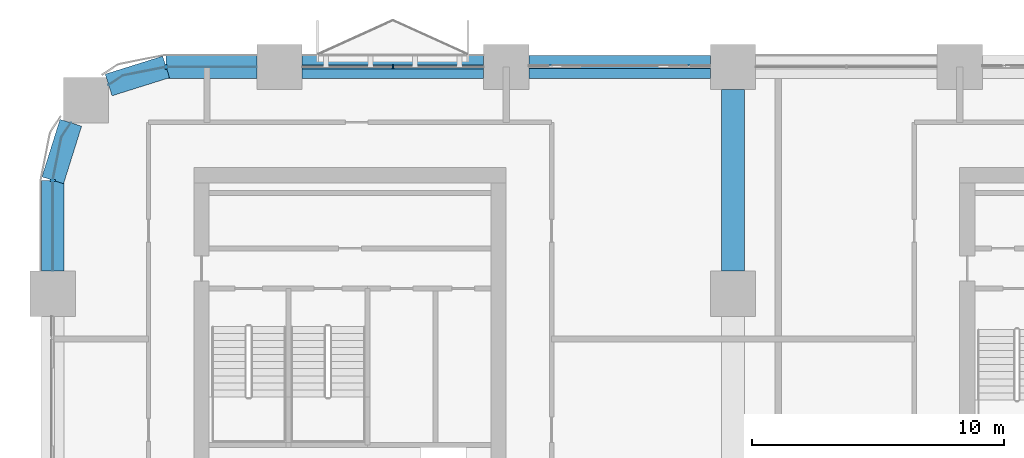
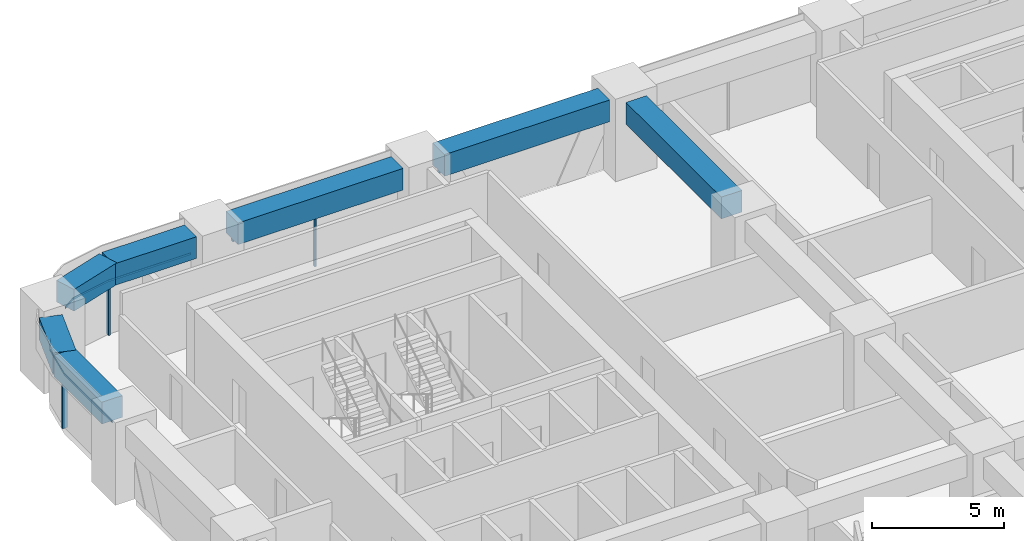
# One storey, part 7 of 23: 7 beams, 7 members, 4 elements without a shape of their own.
"""IFC4 building model written with IfcOpenShell, lengths in metres."""

import ifcopenshell
import ifcopenshell.guid

model = None  # the IFC model being written
_history = None  # IfcOwnerHistory: only IFC2X3 demands one
_inside = {}  # id of a spatial element -> (the spatial element, [elements in it])
_under = {}  # id of a project, library or spatial element -> (it, [spatial elements below it])
_declared = {}  # id of a project -> (the project, [libraries it declares])
_typed = {}  # id of a type object -> (the type object, [elements of that type])
_made_of = {}  # id of a material, layer set ... -> (it, [elements and type objects made of it])


def new_model(schema):
    """Start an empty IFC model of exactly this schema.

    Asked for "IFC4X3", IfcOpenShell would pick the latest addendum, in which some entities
    have other attributes; the version numbers below select the first issue.
    IFC2X3 requires an IfcOwnerHistory on every rooted entity: one is made here for all.
    """
    global model, _history
    if schema == "IFC4X3":
        model = ifcopenshell.file(schema_version=(4, 3, 0, 0))
    else:
        model = ifcopenshell.file(schema=schema)
    _inside.clear()
    _under.clear()
    _declared.clear()
    _typed.clear()
    _made_of.clear()
    _history = None
    if model.schema == "IFC2X3":
        org = make("IfcOrganization", Name="unknown")
        user = make(
            "IfcPersonAndOrganization",
            ThePerson=make("IfcPerson", FamilyName="unknown"),
            TheOrganization=org,
        )
        app = make(
            "IfcApplication",
            ApplicationDeveloper=org,
            Version="unknown",
            ApplicationFullName="unknown",
            ApplicationIdentifier="unknown",
        )
        _history = make(
            "IfcOwnerHistory",
            OwningUser=user,
            OwningApplication=app,
            ChangeAction="ADDED",
            CreationDate=0,
        )
    return model


def make(cls, **values):
    """One entity of the class cls with the attributes given. An attribute that is None is left unset."""
    return model.create_entity(
        cls, **{name: value for name, value in values.items() if value is not None}
    )


def rooted(cls, **values):
    """An entity with a GlobalId (a new one), such as an element, a storey or a relation."""
    return make(cls, GlobalId=ifcopenshell.guid.new(), OwnerHistory=_history, **values)


def si_unit(unit_type, name, prefix=None):
    """IfcSIUnit, for example si_unit("LENGTHUNIT", "METRE", prefix="MILLI")."""
    return make("IfcSIUnit", UnitType=unit_type, Prefix=prefix, Name=name)


def assignment(units):
    """IfcUnitAssignment: the units of a project."""
    return None if units is None else make("IfcUnitAssignment", Units=units)


def point(xyz):
    """IfcCartesianPoint."""
    return None if xyz is None else make("IfcCartesianPoint", Coordinates=xyz)


def direction(xyz):
    """IfcDirection."""
    return None if xyz is None else make("IfcDirection", DirectionRatios=xyz)


def frame(location, z_axis=None, x_axis=None):
    """IfcAxis2Placement3D, a coordinate frame: its origin and axes. An axis left out is left unset."""
    return make(
        "IfcAxis2Placement3D",
        Location=point(location),
        Axis=direction(z_axis),
        RefDirection=direction(x_axis),
    )


def frame_2d(location, x_axis=None):
    """IfcAxis2Placement2D, a coordinate frame in the plane: its origin and x axis."""
    return make(
        "IfcAxis2Placement2D", Location=point(location), RefDirection=direction(x_axis)
    )


def origin():
    """The frame at (0, 0, 0) with its axes left unset."""
    return frame((0.0, 0.0, 0.0))


def origin_2d():
    """The frame at (0, 0) in the plane with its x axis left unset."""
    return frame_2d((0.0, 0.0))


def place(relative_to, where):
    """IfcLocalPlacement: puts the frame where relative to a parent placement (None: the world)."""
    return make(
        "IfcLocalPlacement", PlacementRelTo=relative_to, RelativePlacement=where
    )


def context(
    kind, dimensions, precision=None, world=None, true_north=None, identifier=None
):
    """IfcGeometricRepresentationContext, for example the 3D "Model" context."""
    return make(
        "IfcGeometricRepresentationContext",
        ContextIdentifier=identifier,
        ContextType=kind,
        CoordinateSpaceDimension=dimensions,
        Precision=precision,
        WorldCoordinateSystem=world,
        TrueNorth=true_north,
    )


def subcontext(parent, identifier, kind, view, scale=None):
    """IfcGeometricRepresentationSubContext, for example "Body" below "Model"."""
    return make(
        "IfcGeometricRepresentationSubContext",
        ContextIdentifier=identifier,
        ContextType=kind,
        ParentContext=parent,
        TargetScale=scale,
        TargetView=view,
    )


def project(units=None, contexts=None):
    """IfcProject with its units and contexts."""
    return rooted(
        "IfcProject",
        Name="project",
        RepresentationContexts=contexts,
        UnitsInContext=assignment(units),
    )


def spatial(cls, under=None, at=None, **own):
    """A site, building, storey or space (cls), placed at a placement, below another one or the project."""
    s = rooted(cls, ObjectPlacement=at, **own)
    if under is not None:
        _under.setdefault(under.id(), (under, []))[1].append(s)
    return s


def polyline(points):
    """IfcPolyline through the points."""
    return make("IfcPolyline", Points=[point(p) for p in points])


def profile(cls, at=None, kind="AREA", **sizes):
    """A parametric profile (cls). Its sizes go by their IFC names, for example OverallWidth=200.0."""
    return make(cls, ProfileType=kind, Position=at, **sizes)


def rectangle(**sizes):
    """IfcRectangleProfileDef."""
    return profile("IfcRectangleProfileDef", **sizes)


def outline(outer, holes=None, kind="AREA"):
    """IfcArbitraryClosedProfileDef: a profile drawn as a closed curve; with holes, ...WithVoids."""
    if holes is None:
        return make("IfcArbitraryClosedProfileDef", ProfileType=kind, OuterCurve=outer)
    return make(
        "IfcArbitraryProfileDefWithVoids",
        ProfileType=kind,
        OuterCurve=outer,
        InnerCurves=holes,
    )


def extrude(swept, where, along, depth):
    """IfcExtrudedAreaSolid: the profile swept, set in the frame where, extruded along a direction by depth."""
    return make(
        "IfcExtrudedAreaSolid",
        SweptArea=swept,
        Position=where,
        ExtrudedDirection=direction(along),
        Depth=depth,
    )


def shape(context_of_items, identifier, shape_type, items):
    """IfcShapeRepresentation: the items that make up one representation, for example the "Body"."""
    return make(
        "IfcShapeRepresentation",
        ContextOfItems=context_of_items,
        RepresentationIdentifier=identifier,
        RepresentationType=shape_type,
        Items=items,
    )


def material(Name=None, Category=None):
    """IfcMaterial."""
    return make("IfcMaterial", Name=Name, Category=Category)


def material_profile(
    of_material, cross_section, Name=None, Category=None, Priority=None
):
    """IfcMaterialProfile: a cross section and its material."""
    return make(
        "IfcMaterialProfile",
        Name=Name,
        Material=of_material,
        Profile=cross_section,
        Priority=Priority,
        Category=Category,
    )


def profile_set(profiles, Name=None, composite=None):
    """IfcMaterialProfileSet."""
    return make(
        "IfcMaterialProfileSet",
        Name=Name,
        MaterialProfiles=profiles,
        CompositeProfile=composite,
    )


def made_of(thing, what):
    """Note that an element or type object is made of a material, layer set ...; save() writes the relation."""
    if what is not None:
        _made_of.setdefault(what.id(), (what, []))[1].append(thing)
    return thing


def type_object(cls, material=None, **own):
    """A type object (cls), such as IfcWallType, which elements share."""
    return made_of(rooted(cls, **own), material)


def element(
    cls,
    number,
    at=None,
    inside=None,
    cuts=None,
    type_object=None,
    material=None,
    context=None,
    identifier="Body",
    shape_type=None,
    held_by="IfcProductDefinitionShape",
    body=None,
    shapes=None,
    **own,
):
    """One element of the class cls, such as IfcWall. Its Tag is "e" and its number.

    at: its placement. inside: the storey or other place that contains it. cuts: it is an
    opening in that element (IfcRelVoidsElement). A single representation is given by context,
    identifier, shape_type and body (its items); several are given by shapes. held_by: the class
    of the entity that holds the representations. save() writes the other relations.
    """
    e = rooted(cls, Tag="e%d" % number, ObjectPlacement=at, **own)
    if body is not None:
        shapes = [shape(context, identifier, shape_type, body)]
    if shapes is not None:
        e.Representation = make(held_by, Representations=shapes)
    if inside is not None:
        _inside.setdefault(inside.id(), (inside, []))[1].append(e)
    if cuts is not None:
        rooted(
            "IfcRelVoidsElement", RelatingBuildingElement=cuts, RelatedOpeningElement=e
        )
    if type_object is not None:
        _typed.setdefault(type_object.id(), (type_object, []))[1].append(e)
    return made_of(e, material)


def aggregate(whole, parts):
    """IfcRelAggregates: a whole, such as a stair, and the parts it consists of."""
    return rooted("IfcRelAggregates", RelatingObject=whole, RelatedObjects=parts)


def save(model, path):
    """Write the relations noted so far, then the file.

    IfcRelAggregates (storeys below a building ...), IfcRelContainedInSpatialStructure (elements
    in a storey), IfcRelDefinesByType, IfcRelAssociatesMaterial and IfcRelDeclares: one each for
    every whole, place, type object, material and project.
    """
    for whole, parts in _under.values():
        aggregate(whole, parts)
    for where, things in _inside.values():
        rooted(
            "IfcRelContainedInSpatialStructure",
            RelatedElements=things,
            RelatingStructure=where,
        )
    for kind, things in _typed.values():
        rooted("IfcRelDefinesByType", RelatedObjects=things, RelatingType=kind)
    for what, things in _made_of.values():
        rooted("IfcRelAssociatesMaterial", RelatedObjects=things, RelatingMaterial=what)
    for by, libraries in _declared.values():
        rooted("IfcRelDeclares", RelatingContext=by, RelatedDefinitions=libraries)
    model.write(path)


model = new_model("IFC4")

# Units and contexts
model_context = context("Model", 3, precision=1e-05, world=origin(), true_north=direction((0.0, 1.0)))
body_context = subcontext(model_context, "Body", "Model", "MODEL_VIEW")
ifc_project = project(units=[si_unit("LENGTHUNIT", "METRE"), si_unit("AREAUNIT", "SQUARE_METRE"), si_unit("VOLUMEUNIT", "CUBIC_METRE"), si_unit("PLANEANGLEUNIT", "RADIAN"), si_unit("MASSUNIT", "GRAM", prefix="KILO")], contexts=[model_context])

# Site, building, storey
site_placement = place(None, origin())
site = spatial("IfcSite", under=ifc_project, at=site_placement, CompositionType="ELEMENT")
building_placement = place(site_placement, origin())
building = spatial("IfcBuilding", under=site, at=building_placement, Name="Tessera Arch", CompositionType="ELEMENT")
storey_placement = place(building_placement, frame((0.0, 0.0, 57.60009765625)))
storey = spatial("IfcBuildingStorey", under=building, at=storey_placement, Name="L12", CompositionType="ELEMENT", Elevation=57.60009765625)

# Curtain wall, members
ifc_material_1 = material(Name="CW1 curtain wall")
curtain_wall_type_1 = type_object("IfcCurtainWallType", Name="CW1 curtain wall", PredefinedType="NOTDEFINED", material=ifc_material_1)
curtain_wall_1_placement = place(storey_placement, origin())
curtain_wall_1 = element("IfcCurtainWall", 1, at=curtain_wall_1_placement, inside=storey, type_object=curtain_wall_type_1, Name="CW1 curtain wall N54.0/4 L12", PredefinedType="NOTDEFINED")
ifc_material_2 = material(Name="Anodised aluminium pale metal", Category="aluminium")
ifc_material_profile_1 = material_profile(ifc_material_2, rectangle(XDim=0.159912109375, YDim=0.06005859375, at=origin_2d()), Name="AL 60x160")
ifc_profile_set_1 = profile_set([ifc_material_profile_1], Name="Anodised aluminium pale metal")
member_type_1 = type_object("IfcMemberType", Name="CW1 mullion", PredefinedType="MULLION", material=ifc_profile_set_1)
member_1_placement = place(storey_placement, frame((13.5, 54.0, 0.0), z_axis=(0.0, 0.0, 1.0), x_axis=(0.0, -1.0, 0.0)))
member_1 = element("IfcMember", 2, at=member_1_placement, type_object=member_type_1, Name="CW1 mullion N54.0/4 1", PredefinedType="MULLION", context=body_context, shape_type="SweptSolid", body=[
    extrude(rectangle(XDim=0.159912109375, YDim=0.06005859375, at=origin_2d()), origin(), (0.0, 0.0, 1.0), 2.39990234375),
])
ifc_material_3 = material(Name="Anodised aluminium pale metal", Category="aluminium")
ifc_material_profile_2 = material_profile(ifc_material_3, rectangle(XDim=0.159912109375, YDim=0.10009765625, at=origin_2d()), Name="AL 160x100")
ifc_profile_set_2 = profile_set([ifc_material_profile_2], Name="Anodised aluminium pale metal")
member_type_2 = type_object("IfcMemberType", Name="CW1 transom", PredefinedType="USERDEFINED", material=ifc_profile_set_2)
member_2_placement = place(storey_placement, frame((17.10009765625, 54.0, 2.449951171875), z_axis=(-1.0, 0.0, 0.0), x_axis=(0.0, -1.0, 0.0)))
member_2 = element("IfcMember", 3, at=member_2_placement, type_object=member_type_2, Name="CW1 transom N54.0/4 1.1", ObjectType="TRANSOM", PredefinedType="USERDEFINED", context=body_context, shape_type="SweptSolid", body=[
    extrude(rectangle(XDim=0.159912109375, YDim=0.10009765625, at=origin_2d()), origin(), (0.0, 0.0, 1.0), 7.2001953125),
])
aggregate(curtain_wall_1, [member_1, member_2])

# Curtain wall, member
ifc_material_4 = material(Name="CW2 curtain wall")
curtain_wall_type_2 = type_object("IfcCurtainWallType", Name="CW2 curtain wall", PredefinedType="NOTDEFINED", material=ifc_material_4)
curtain_wall_2_placement = place(storey_placement, origin())
curtain_wall_2 = element("IfcCurtainWall", 4, at=curtain_wall_2_placement, inside=storey, type_object=curtain_wall_type_2, Name="CW2 curtain wall N54.0/5 L12", PredefinedType="NOTDEFINED")
ifc_material_5 = material(Name="Anodised aluminium pale metal", Category="aluminium")
ifc_material_profile_3 = material_profile(ifc_material_5, rectangle(XDim=0.199951171875, YDim=0.080078125, at=origin_2d()), Name="AL 80x200")
ifc_profile_set_3 = profile_set([ifc_material_profile_3], Name="Anodised aluminium pale metal")
member_type_3 = type_object("IfcMemberType", Name="CW2 mullion", PredefinedType="MULLION", material=ifc_profile_set_3)
member_3_placement = place(storey_placement, frame((4.5, 54.0, 0.0), z_axis=(0.0, 0.0, 1.0), x_axis=(0.0, -1.0, 0.0)))
member_3 = element("IfcMember", 5, at=member_3_placement, type_object=member_type_3, Name="CW2 mullion N54.0/5 1", PredefinedType="MULLION", context=body_context, shape_type="SweptSolid", body=[
    extrude(rectangle(XDim=0.199951171875, YDim=0.080078125, at=origin_2d()), origin(), (0.0, 0.0, 1.0), 2.39990234375),
])

curtain_wall_3_placement = place(storey_placement, origin())
curtain_wall_3 = element("IfcCurtainWall", 6, at=curtain_wall_3_placement, inside=storey, type_object=curtain_wall_type_2, Name="CW2 curtain wall W0.0/0 L12", PredefinedType="NOTDEFINED")
member_4_placement = place(storey_placement, frame((0.0, 49.5, 0.0), z_axis=(0.0, 0.0, 1.0), x_axis=(1.0, 0.0, 0.0)))
member_4 = element("IfcMember", 7, at=member_4_placement, type_object=member_type_3, Name="CW2 mullion W0.0/0 1", PredefinedType="MULLION", context=body_context, shape_type="SweptSolid", body=[
    extrude(rectangle(XDim=0.199951171875, YDim=0.080078125, at=origin_2d()), origin(), (0.0, 0.0, 1.0), 2.39990234375),
])

# Member
ifc_material_6 = material(Name="Anodised aluminium pale metal", Category="aluminium")
ifc_material_profile_4 = material_profile(ifc_material_6, rectangle(XDim=0.199951171875, YDim=0.10009765625, at=origin_2d()), Name="AL 200x100")
ifc_profile_set_4 = profile_set([ifc_material_profile_4], Name="Anodised aluminium pale metal")
member_type_4 = type_object("IfcMemberType", Name="CW2 transom", PredefinedType="USERDEFINED", material=ifc_profile_set_4)
member_5_placement = place(storey_placement, frame((0.0, 0.0, 2.39990234375)))
member_5 = element("IfcMember", 8, at=member_5_placement, type_object=member_type_4, Name="CW2 transom N54.0/5 1", ObjectType="TRANSOM", PredefinedType="USERDEFINED", context=body_context, shape_type="SweptSolid", body=[
    extrude(outline(polyline([(4.5009765625, 53.989990234375), (8.10009765625, 53.989990234375), (8.10009765625, 54.010009765625), (4.4990234375, 54.010009765625), (2.77392578125, 53.6669921875), (2.21240234375, 53.29150390625), (2.2236328125, 53.27490234375), (2.78173828125, 53.648193359375), (4.5009765625, 53.989990234375)])), origin(), (0.0, 0.0, 1.0), 0.10009765625),
])

aggregate(curtain_wall_2, [member_3, member_5])

member_6_placement = place(storey_placement, frame((0.0, 0.0, 2.39990234375)))
member_6 = element("IfcMember", 9, at=member_6_placement, type_object=member_type_4, Name="CW2 transom W0.0/0 1", ObjectType="TRANSOM", PredefinedType="USERDEFINED", context=body_context, shape_type="SweptSolid", body=[
    extrude(outline(polyline([(0.351806640625, 51.21826171875), (0.72509765625, 51.7763671875), (0.70849609375, 51.78759765625), (0.3330078125, 51.22607421875), (-0.010009765625, 49.5009765625), (-0.010009765625, 45.89990234375), (0.010009765625, 45.89990234375), (0.010009765625, 49.4990234375), (0.351806640625, 51.21826171875)])), origin(), (0.0, 0.0, 1.0), 0.10009765625),
])

aggregate(curtain_wall_3, [member_4, member_6])

# Curtain wall, member
ifc_material_7 = material(Name="CW3 curtain wall")
curtain_wall_type_3 = type_object("IfcCurtainWallType", Name="CW3 curtain wall", PredefinedType="NOTDEFINED", material=ifc_material_7)
curtain_wall_4_placement = place(storey_placement, origin())
curtain_wall_4 = element("IfcCurtainWall", 10, at=curtain_wall_4_placement, inside=storey, type_object=curtain_wall_type_3, Name="CW3 curtain wall N54.0/3 L12", PredefinedType="NOTDEFINED")
ifc_material_8 = material(Name="Anodised aluminium pale metal", Category="aluminium")
ifc_material_profile_5 = material_profile(ifc_material_8, rectangle(XDim=0.139892578125, YDim=0.10009765625, at=origin_2d()), Name="AL 140x100")
ifc_profile_set_5 = profile_set([ifc_material_profile_5], Name="Anodised aluminium pale metal")
member_type_5 = type_object("IfcMemberType", Name="CW3 transom", PredefinedType="USERDEFINED", material=ifc_profile_set_5)
member_7_placement = place(storey_placement, frame((26.10009765625, 54.0, 2.449951171875), z_axis=(-1.0, 0.0, 0.0), x_axis=(0.0, -1.0, 0.0)))
member_7 = element("IfcMember", 11, at=member_7_placement, type_object=member_type_5, Name="CW3 transom N54.0/3 1.1", ObjectType="TRANSOM", PredefinedType="USERDEFINED", context=body_context, shape_type="SweptSolid", body=[
    extrude(rectangle(XDim=0.139892578125, YDim=0.10009765625, at=origin_2d()), origin(), (0.0, 0.0, 1.0), 7.2001953125),
])
aggregate(curtain_wall_4, [member_7])

# Beams
ifc_material_9 = material(Name="Concrete C80/95", Category="concrete")
ifc_material_profile_6 = material_profile(ifc_material_9, rectangle(XDim=0.89990234375, YDim=1.0, at=origin_2d()), Name="RC spandrel beam 900 x 1000 Concrete C80/95")
ifc_profile_set_6 = profile_set([ifc_material_profile_6], Name="Concrete C80/95")
beam_type = type_object("IfcBeamType", Name="RC spandrel beam 900 x 1000 Concrete C80/95", PredefinedType="BEAM", material=ifc_profile_set_6)
for number, where, z_axis, x_axis, name in (
    (12, (26.10009765625, 54.0, 3.0), (-1.0, 0.0, 0.0), (0.0, -1.0, 0.0), "Spandrel beam L12 N54.0/3"),
    (13, (17.10009765625, 54.0, 3.0), (-1.0, 0.0, 0.0), (0.0, -1.0, 0.0), "Spandrel beam L12 N54.0/4"),
):
    element("IfcBeam", number, at=place(storey_placement, frame(where, z_axis=z_axis, x_axis=x_axis)), inside=storey, type_object=beam_type, Name=name, PredefinedType="BEAM", context=body_context, shape_type="SweptSolid", body=[
        extrude(rectangle(XDim=0.89990234375, YDim=1.0, at=origin_2d()), origin(), (0.0, 0.0, 1.0), 7.2001953125),
    ])
beam_1_placement = place(storey_placement, frame((8.10009765625, 54.0, 3.0), z_axis=(-1.0, 0.0, 0.0), x_axis=(0.0, -1.0, 0.0)))
element("IfcBeam", 14, at=beam_1_placement, inside=storey, type_object=beam_type, Name="Spandrel beam L12 N54.0/5.1", PredefinedType="BEAM", context=body_context, shape_type="SweptSolid", body=[
    extrude(rectangle(XDim=0.89990234375, YDim=1.0, at=origin_2d()), origin(), (0.0, 0.0, 1.0), 3.60009765625),
])
for number, where, z_axis, x_axis, name in (
    (15, (4.5, 54.0, 3.0), (-0.954041251279, -0.299675309057, 0.0), (0.299675309057, -0.954041251279, 0.0), "Spandrel beam L12 N54.0/5.2"),
    (16, (0.716796875, 51.781982421875, 3.0), (-0.299675309057, -0.954041251279, 0.0), (0.954041251279, -0.299675309057, 0.0), "Spandrel beam L12 W0.0/0.1"),
):
    element("IfcBeam", number, at=place(storey_placement, frame(where, z_axis=z_axis, x_axis=x_axis)), inside=storey, type_object=beam_type, Name=name, PredefinedType="BEAM", context=body_context, shape_type="SweptSolid", body=[
        extrude(rectangle(XDim=0.89990234375, YDim=1.0, at=origin_2d()), origin(), (0.0, 0.0, 1.0), 2.391845703125),
    ])
beam_2_placement = place(storey_placement, frame((0.0, 49.5, 3.0), z_axis=(0.0, -1.0, 0.0), x_axis=(1.0, 0.0, 0.0)))
element("IfcBeam", 17, at=beam_2_placement, inside=storey, type_object=beam_type, Name="Spandrel beam L12 W0.0/0.2", PredefinedType="BEAM", context=body_context, shape_type="SweptSolid", body=[
    extrude(rectangle(XDim=0.89990234375, YDim=1.0, at=origin_2d()), origin(), (0.0, 0.0, 1.0), 3.60009765625),
])
beam_3_placement = place(storey_placement, frame((27.0, 45.89990234375, 3.0), z_axis=(0.0, 1.0, 0.0), x_axis=(-1.0, 0.0, 0.0)))
element("IfcBeam", 18, at=beam_3_placement, inside=storey, type_object=beam_type, Name="Interface beam L12 I0C4F-C4G", PredefinedType="BEAM", context=body_context, shape_type="SweptSolid", body=[
    extrude(rectangle(XDim=0.89990234375, YDim=1.0, at=origin_2d()), origin(), (0.0, 0.0, 1.0), 7.2001953125),
])

save(model, "model.ifc")
